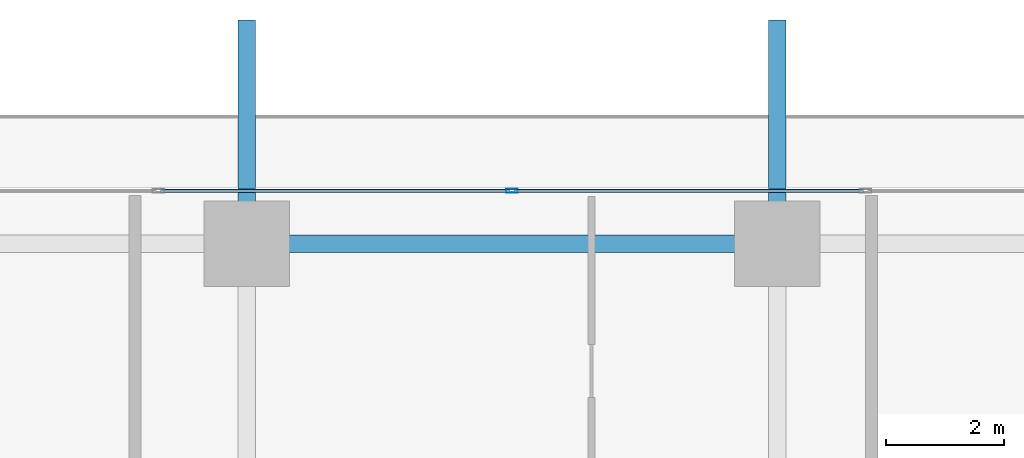
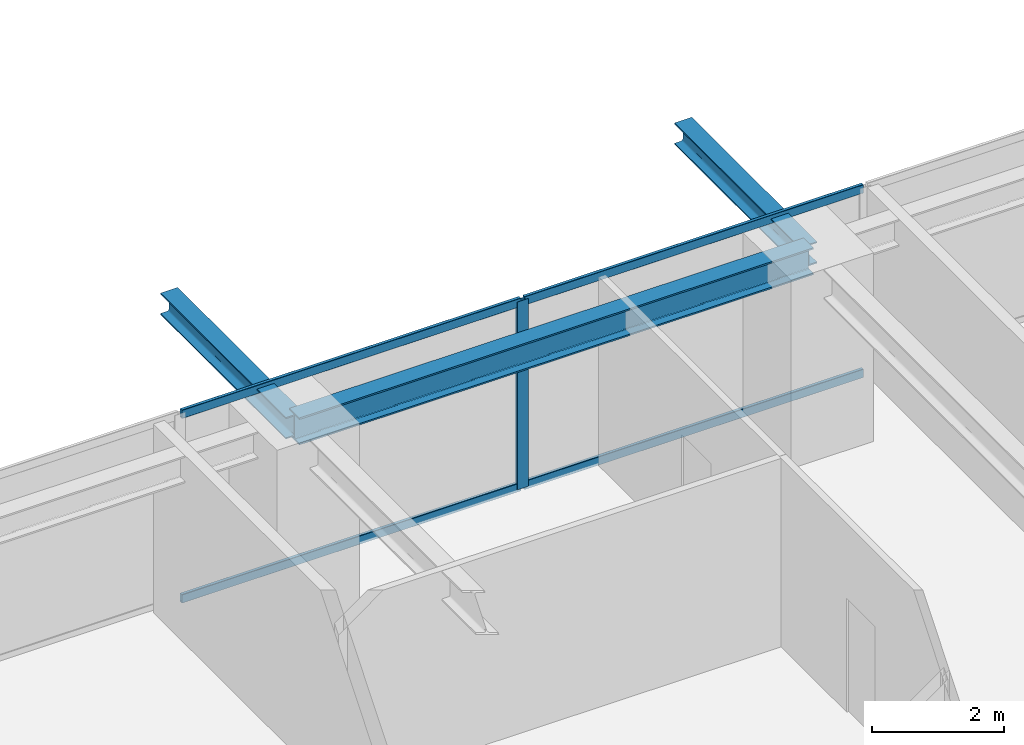
# One storey, part 21 of 39: 5 members, 3 beams, 1 element without a shape of its own.
"""IFC4 building model written with IfcOpenShell, lengths in metres."""

from ifc_helpers import new_model, si_unit, direction, frame, origin, origin_2d, place, context, subcontext, project, spatial, hollow_rectangle, i_section, extrude, source, transform, mapped, material, layer, layer_set, material_profile, profile_set, type_object, element, aggregate, save


model = new_model("IFC4")

# Units and contexts
model_context = context("Model", 3, precision=1e-05, world=origin(), true_north=direction((0.0, 1.0)))
body_context = subcontext(model_context, "Body", "Model", "MODEL_VIEW")
ifc_project = project(units=[si_unit("LENGTHUNIT", "METRE"), si_unit("AREAUNIT", "SQUARE_METRE"), si_unit("VOLUMEUNIT", "CUBIC_METRE"), si_unit("PLANEANGLEUNIT", "RADIAN"), si_unit("MASSUNIT", "GRAM", prefix="KILO")], contexts=[model_context])

# Site, building, storey
site_placement = place(None, origin())
site = spatial("IfcSite", under=ifc_project, at=site_placement, CompositionType="ELEMENT")
building_placement = place(site_placement, origin())
building = spatial("IfcBuilding", under=site, at=building_placement, Name="Serunith Strait Residences", CompositionType="ELEMENT")
storey_placement = place(building_placement, frame((0.0, 0.0, 49.199951171875)))
storey = spatial("IfcBuildingStorey", under=building, at=storey_placement, Name="L11", CompositionType="ELEMENT", Elevation=49.199951171875)

# Beams
ifc_material_1 = material(Name="Steel S355J2", Category="steel")
ifc_material_profile_1 = material_profile(ifc_material_1, i_section(OverallWidth=0.300048828125, OverallDepth=0.5, WebThickness=0.014404296875, FlangeThickness=0.028076171875, FilletRadius=0.027099609375, at=origin_2d()), Name="HEB 500")
ifc_profile_set_1 = profile_set([ifc_material_profile_1], Name="Steel S355J2")
beam_type_1 = type_object("IfcBeamType", Name="BM-HEB500", PredefinedType="BEAM", material=ifc_profile_set_1)
shared_shape_1 = source(origin(), body_context, "Body", "SweptSolid", [
    extrude(i_section(OverallWidth=0.300048828125, OverallDepth=0.5, WebThickness=0.014404296875, FlangeThickness=0.028076171875, FilletRadius=0.027099609375, at=origin_2d()), origin(), (0.0, 0.0, 1.0), 9.0),
])
beam_placement = place(storey_placement, frame((36.89990234375, 49.300048828125, 3.237060546875), z_axis=(-1.0, 0.0, 0.0), x_axis=(0.0, -1.0, 0.0)))
element("IfcBeam", 1, at=beam_placement, inside=storey, type_object=beam_type_1, Name="L11 Perimeter Ring Beam 10", PredefinedType="BEAM", context=body_context, shape_type="MappedRepresentation", body=[
    mapped(shared_shape_1, transform((0.0, 0.0, 0.0), scale=1.0)),
])
ifc_material_profile_2 = material_profile(ifc_material_1, i_section(OverallWidth=0.300048828125, OverallDepth=0.39990234375, WebThickness=0.013427734375, FlangeThickness=0.02392578125, FilletRadius=0.027099609375, at=origin_2d()), Name="HEB 400")
ifc_profile_set_2 = profile_set([ifc_material_profile_2], Name="Steel S355J2")
beam_type_2 = type_object("IfcBeamType", Name="BM-HEB400", PredefinedType="BEAM", material=ifc_profile_set_2)
shared_shape_2 = source(origin(), body_context, "Body", "SweptSolid", [
    extrude(i_section(OverallWidth=0.300048828125, OverallDepth=0.39990234375, WebThickness=0.013427734375, FlangeThickness=0.02392578125, FilletRadius=0.027099609375, at=origin_2d()), origin(), (0.0, 0.0, 1.0), 3.800048828125),
])
for number, where, z_axis, x_axis, name in (
    (2, (27.89990234375, 49.300048828125, 3.257080078125), (0.0, 1.0, 0.0), (-1.0, 0.0, 0.0), "L12 Cantilevered Balcony Rib TC-N2"),
    (3, (36.89990234375, 49.300048828125, 3.257080078125), (0.0, 1.0, 0.0), (-1.0, 0.0, 0.0), "L12 Cantilevered Balcony Rib TC-N3"),
):
    element("IfcBeam", number, at=place(storey_placement, frame(where, z_axis=z_axis, x_axis=x_axis)), inside=storey, type_object=beam_type_2, Name=name, PredefinedType="BEAM", context=body_context, shape_type="MappedRepresentation", body=[
        mapped(shared_shape_2, transform((0.0, 0.0, 0.0), scale=1.0)),
    ])

# Curtain wall, members
ifc_material_2 = material(Name="Pale-Champagne Anodised Aluminium", Category="aluminium")
ifc_layer = layer(ifc_material_2, 0.199951171875, Name="Pale-Champagne Anodised Aluminium")
ifc_layer_set = layer_set([ifc_layer], Name="Pale-Champagne Anodised Aluminium")
curtain_wall_type = type_object("IfcCurtainWallType", Name="CW-SYS1", PredefinedType="NOTDEFINED", material=ifc_layer_set)
curtain_wall_placement = place(storey_placement, origin())
curtain_wall = element("IfcCurtainWall", 4, at=curtain_wall_placement, inside=storey, type_object=curtain_wall_type, Name="L11 N Unitised Fritted Curtain Wall", PredefinedType="NOTDEFINED")
ifc_material_profile_3 = material_profile(ifc_material_2, hollow_rectangle(XDim=0.070068359375, YDim=0.199951171875, WallThickness=0.00390625, InnerFilletRadius=0.006103515625, OuterFilletRadius=0.010009765625, at=origin_2d()), Name="ALU 200x70x4")
ifc_profile_set_3 = profile_set([ifc_material_profile_3], Name="Pale-Champagne Anodised Aluminium")
member_type_1 = type_object("IfcMemberType", Name="CW-SYS1-MULL", PredefinedType="MULLION", material=ifc_profile_set_3)
shared_shape_3 = source(origin(), body_context, "Body", "SweptSolid", [
    extrude(hollow_rectangle(XDim=0.070068359375, YDim=0.199951171875, WallThickness=0.00390625, InnerFilletRadius=0.006103515625, OuterFilletRadius=0.010009765625, at=origin_2d()), origin(), (0.0, 0.0, 1.0), 3.47509765625),
])
member_1_placement = place(storey_placement, frame((32.39990234375, 50.199951171875, 0.0), z_axis=(0.0, 0.0, 1.0), x_axis=(0.0, -1.0, 0.0)))
member_1 = element("IfcMember", 5, at=member_1_placement, type_object=member_type_1, Name="CW-1 mullion 4", PredefinedType="MULLION", context=body_context, shape_type="MappedRepresentation", body=[
    mapped(shared_shape_3, transform((0.0, 0.0, 0.0), scale=1.0)),
])
ifc_material_profile_4 = material_profile(ifc_material_2, hollow_rectangle(XDim=0.06005859375, YDim=0.159912109375, WallThickness=0.00341796875, InnerFilletRadius=0.00537109375, OuterFilletRadius=0.0087890625, at=origin_2d()), Name="ALU 160x60x3.5")
ifc_profile_set_4 = profile_set([ifc_material_profile_4], Name="Pale-Champagne Anodised Aluminium")
member_type_2 = type_object("IfcMemberType", Name="CW-SYS1-TRAN", PredefinedType="USERDEFINED", material=ifc_profile_set_4)
shared_shape_4 = source(origin(), body_context, "Body", "SweptSolid", [
    extrude(hollow_rectangle(XDim=0.06005859375, YDim=0.159912109375, WallThickness=0.00341796875, InnerFilletRadius=0.00537109375, OuterFilletRadius=0.0087890625, at=origin_2d()), origin(), (0.0, 0.0, 1.0), 5.929931640625),
])
member_2_placement = place(storey_placement, frame((38.364990234375, 50.199951171875, 0.030029296875), z_axis=(-1.0, 0.0, 0.0), x_axis=(0.0, -1.0, 0.0)))
member_2 = element("IfcMember", 6, at=member_2_placement, type_object=member_type_2, Name="CW-1 transom 3.1", ObjectType="TRANSOM", PredefinedType="USERDEFINED", context=body_context, shape_type="MappedRepresentation", body=[
    mapped(shared_shape_4, transform((0.0, 0.0, 0.0), scale=1.0)),
])
member_3_placement = place(storey_placement, frame((38.364990234375, 50.199951171875, 3.445068359375), z_axis=(-1.0, 0.0, 0.0), x_axis=(0.0, -1.0, 0.0)))
member_3 = element("IfcMember", 7, at=member_3_placement, type_object=member_type_2, Name="CW-1 transom 3.2", ObjectType="TRANSOM", PredefinedType="USERDEFINED", context=body_context, shape_type="MappedRepresentation", body=[
    mapped(shared_shape_4, transform((0.0, 0.0, 0.0), scale=1.0)),
])
member_4_placement = place(storey_placement, frame((32.364990234375, 50.199951171875, 0.030029296875), z_axis=(-1.0, 0.0, 0.0), x_axis=(0.0, -1.0, 0.0)))
member_4 = element("IfcMember", 8, at=member_4_placement, type_object=member_type_2, Name="CW-1 transom 4.1", ObjectType="TRANSOM", PredefinedType="USERDEFINED", context=body_context, shape_type="MappedRepresentation", body=[
    mapped(shared_shape_4, transform((0.0, 0.0, 0.0), scale=1.0)),
])
member_5_placement = place(storey_placement, frame((32.364990234375, 50.199951171875, 3.445068359375), z_axis=(-1.0, 0.0, 0.0), x_axis=(0.0, -1.0, 0.0)))
member_5 = element("IfcMember", 9, at=member_5_placement, type_object=member_type_2, Name="CW-1 transom 4.2", ObjectType="TRANSOM", PredefinedType="USERDEFINED", context=body_context, shape_type="MappedRepresentation", body=[
    mapped(shared_shape_4, transform((0.0, 0.0, 0.0), scale=1.0)),
])
aggregate(curtain_wall, [member_1, member_2, member_3, member_4, member_5])

save(model, "model.ifc")
